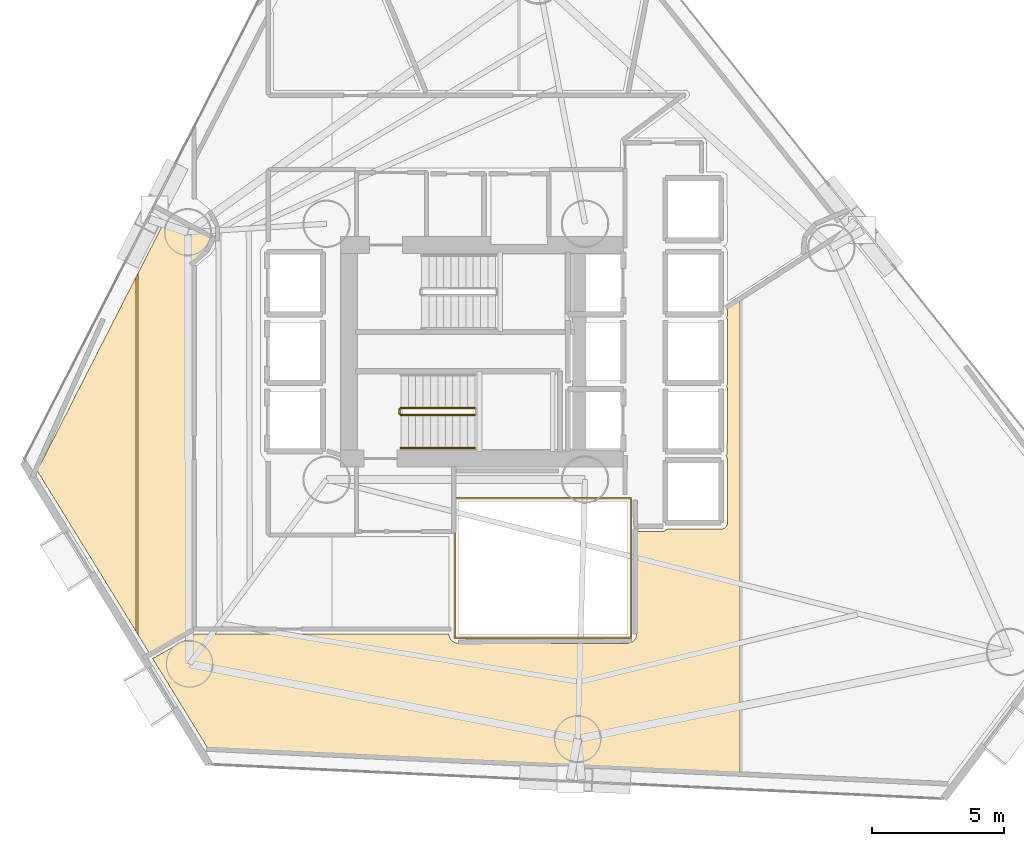
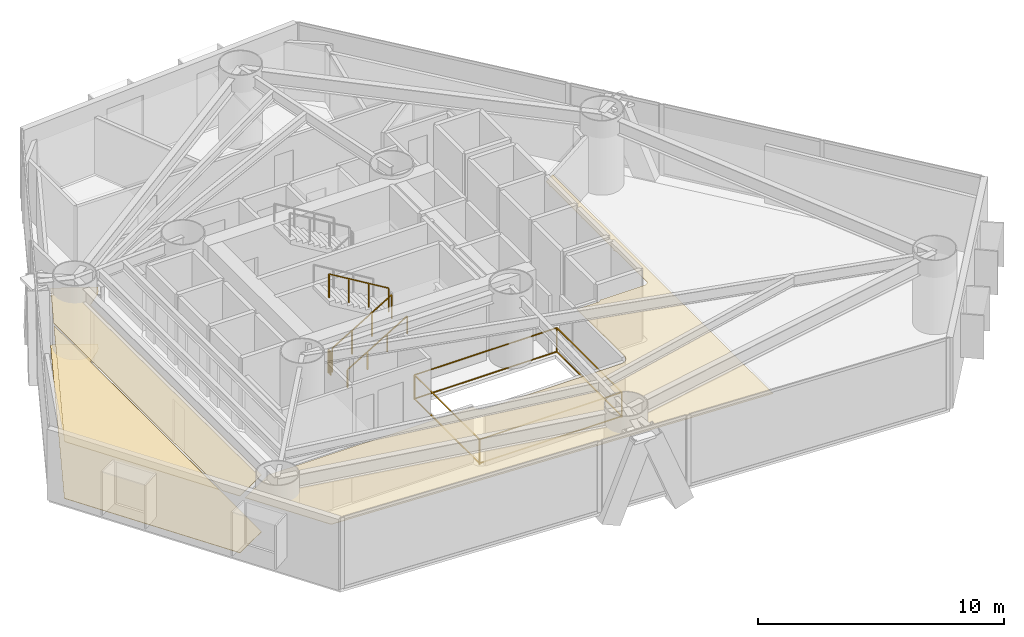
# One storey, part 20 of 23: 5 railings, 4 coverings.
"""IFC4 building model written with IfcOpenShell, lengths in metres."""

from ifc_helpers import new_model, si_unit, direction, frame, origin, origin_2d, place, context, subcontext, project, spatial, polyline, rectangle, outline, extrude, material, layer, layer_set, type_object, element, save


model = new_model("IFC4")

# Units and contexts
model_context = context("Model", 3, precision=1e-05, world=origin(), true_north=direction((0.0, 1.0)))
body_context = subcontext(model_context, "Body", "Model", "MODEL_VIEW")
ifc_project = project(units=[si_unit("LENGTHUNIT", "METRE"), si_unit("AREAUNIT", "SQUARE_METRE"), si_unit("VOLUMEUNIT", "CUBIC_METRE"), si_unit("PLANEANGLEUNIT", "RADIAN"), si_unit("MASSUNIT", "GRAM", prefix="KILO")], contexts=[model_context])

# Site, building, storey
site_placement = place(None, origin())
site = spatial("IfcSite", under=ifc_project, at=site_placement, CompositionType="ELEMENT")
building_placement = place(site_placement, origin())
building = spatial("IfcBuilding", under=site, at=building_placement, Name="Qianvela Tower", CompositionType="ELEMENT")
storey_placement = place(building_placement, frame((0.0, 0.0, 29.39990234375)))
storey = spatial("IfcBuildingStorey", under=building, at=storey_placement, Name="L06", CompositionType="ELEMENT", Elevation=29.39990234375)

# Coverings
ifc_material_1 = material(Name="Perforated Mineral Acoustic Ceiling Tile")
ifc_layer_1 = layer(ifc_material_1, 0.02490234375)
ifc_layer_set_1 = layer_set([ifc_layer_1], Name="Perforated Mineral Acoustic Ceiling Tile")
covering_type_1 = type_object("IfcCoveringType", Name="COV-CEIL-ACOUSTIC-25", PredefinedType="CEILING", material=ifc_layer_set_1)
covering_1_placement = place(storey_placement, frame((0.0, 0.0, 2.815185546875)))
element("IfcCovering", 1, at=covering_1_placement, inside=storey, type_object=covering_type_1, Name="L06 Acoustic Ceiling Bay 1 Shared Communal Kitchen L06-01", PredefinedType="CEILING", context=body_context, shape_type="SweptSolid", body=[
    extrude(outline(polyline([(17.628173828125, 24.18701171875), (21.37060546875, 31.51953125), (21.37060546875, 18.09716796875), (17.628173828125, 24.18701171875)])), origin(), (0.0, 0.0, 1.0), 0.02490234375),
])
covering_2_placement = place(storey_placement, frame((0.0, 0.0, 2.815185546875)))
element("IfcCovering", 2, at=covering_2_placement, inside=storey, type_object=covering_type_1, Name="L06 Acoustic Ceiling Bay 2 Shared Communal Kitchen L06-01", PredefinedType="CEILING", context=body_context, shape_type="SweptSolid", body=[
    extrude(outline(polyline([(24.2724609375, 32.97607421875), (24.269287109375, 32.945556640625), (24.135498046875, 32.695068359375), (24.016357421875, 32.5498046875), (23.448486328125, 32.083740234375), (23.442626953125, 32.07861328125), (23.4375, 32.07275390625), (23.4326171875, 32.06640625), (23.4287109375, 32.0595703125), (23.39990234375, 32.005615234375), (23.396484375, 31.99853515625), (23.393798828125, 31.9912109375), (23.391845703125, 31.9833984375), (23.390869140625, 31.975830078125), (23.390380859375, 31.968017578125), (23.389892578125, 18.14990234375), (23.390380859375, 18.142578125), (23.391357421875, 18.135498046875), (23.391845703125, 18.133056640625), (21.877197265625, 17.273193359375), (21.45068359375, 17.966796875), (21.45068359375, 31.67626953125), (22.5791015625, 33.886962890625), (24.2724609375, 32.97607421875)])), origin(), (0.0, 0.0, 1.0), 0.02490234375),
])
covering_3_placement = place(storey_placement, frame((0.0, 0.0, 2.815185546875)))
element("IfcCovering", 3, at=covering_3_placement, inside=storey, type_object=covering_type_1, Name="L06 Acoustic Ceiling Bay 1 Student Tea Pantry L06-02", PredefinedType="CEILING", context=body_context, shape_type="SweptSolid", body=[
    extrude(outline(polyline([(33.24609375, 17.989990234375), (33.252197265625, 17.912353515625), (33.25341796875, 17.904296875), (33.25537109375, 17.896240234375), (33.258056640625, 17.888427734375), (33.261474609375, 17.881103515625), (33.31298828125, 17.78466796875), (33.31689453125, 17.77783203125), (33.32177734375, 17.771484375), (33.326904296875, 17.765869140625), (33.332763671875, 17.760498046875), (33.417236328125, 17.691162109375), (33.42431640625, 17.68603515625), (33.431884765625, 17.681640625), (33.440185546875, 17.677978515625), (33.448486328125, 17.675537109375), (33.58056640625, 17.642333984375), (33.5869140625, 17.64111328125), (33.593505859375, 17.640380859375), (33.60009765625, 17.639892578125), (40.0, 17.639892578125), (40.0078125, 17.640380859375), (40.015625, 17.6416015625), (40.023193359375, 17.643310546875), (40.1787109375, 17.690673828125), (40.185546875, 17.693115234375), (40.192138671875, 17.696044921875), (40.198486328125, 17.69970703125), (40.204345703125, 17.70361328125), (40.209716796875, 17.70849609375), (40.21484375, 17.71337890625), (40.30615234375, 17.814208984375), (40.311279296875, 17.8203125), (40.315673828125, 17.826904296875), (40.3193359375, 17.833740234375), (40.322265625, 17.841064453125), (40.324462890625, 17.8486328125), (40.357666015625, 17.980712890625), (40.35888671875, 17.987060546875), (40.359619140625, 17.993408203125), (40.360107421875, 18.0), (40.360107421875, 21.889892578125), (41.367919921875, 21.890380859375), (41.375732421875, 21.890869140625), (41.383544921875, 21.891845703125), (41.39111328125, 21.893798828125), (41.3984375, 21.896484375), (41.405517578125, 21.89990234375), (41.45947265625, 21.9287109375), (41.46630859375, 21.932861328125), (41.472900390625, 21.9375), (41.478759765625, 21.943115234375), (41.48388671875, 21.948974609375), (41.48876953125, 21.955322265625), (41.492919921875, 21.96240234375), (41.49609375, 21.969482421875), (41.498779296875, 21.97705078125), (41.49951171875, 21.97998046875), (43.59375, 21.980712890625), (43.6015625, 21.981201171875), (43.609375, 21.982177734375), (43.616943359375, 21.984130859375), (43.624267578125, 21.98681640625), (43.699462890625, 22.017822265625), (43.70654296875, 22.021240234375), (43.71337890625, 22.025390625), (43.719482421875, 22.02978515625), (43.725341796875, 22.03515625), (43.730712890625, 22.041015625), (43.7353515625, 22.04736328125), (43.780517578125, 22.114990234375), (43.784423828125, 22.12158203125), (43.787841796875, 22.128662109375), (43.79052734375, 22.135986328125), (43.79248046875, 22.1435546875), (43.793701171875, 22.1513671875), (43.7939453125, 22.1591796875), (43.800048828125, 24.599853515625), (43.7998046875, 24.606689453125), (43.798828125, 24.613525390625), (43.79736328125, 24.620361328125), (43.79541015625, 24.626953125), (43.763427734375, 24.7158203125), (43.760498046875, 24.722900390625), (43.7568359375, 24.72998046875), (43.75244140625, 24.736572265625), (43.74755859375, 24.742431640625), (43.741943359375, 24.748046875), (43.736083984375, 24.7529296875), (43.771240234375, 24.795654296875), (43.77587890625, 24.802001953125), (43.77978515625, 24.80859375), (43.783203125, 24.815673828125), (43.785888671875, 24.822998046875), (43.787841796875, 24.83056640625), (43.788818359375, 24.83837890625), (43.789306640625, 24.84619140625), (43.800048828125, 27.2998046875), (43.799560546875, 27.3076171875), (43.798583984375, 27.315673828125), (43.79638671875, 27.323486328125), (43.793701171875, 27.3310546875), (43.7646484375, 27.39990234375), (43.793701171875, 27.468994140625), (43.79638671875, 27.476318359375), (43.79833984375, 27.484130859375), (43.799560546875, 27.491943359375), (43.800048828125, 27.5), (43.800048828125, 29.89990234375), (43.799560546875, 29.907958984375), (43.79833984375, 29.915771484375), (43.79638671875, 29.923583984375), (43.793701171875, 29.93115234375), (43.765625, 29.997802734375), (43.79150390625, 30.051513671875), (43.794189453125, 30.05810546875), (43.79638671875, 30.06494140625), (43.798095703125, 30.072021484375), (43.799072265625, 30.0791015625), (43.79931640625, 30.086181640625), (43.7998046875, 30.344482421875), (44.276123046875, 30.651611328125), (44.276123046875, 12.734619140625), (24.083984375, 13.682373046875), (22.0048828125, 17.065185546875), (23.634521484375, 17.989990234375), (33.24609375, 17.989990234375)])), origin(), (0.0, 0.0, 1.0), 0.02490234375),
])
ifc_material_2 = material(Name="Engineered Acoustic Oak Timber Flooring", Category="wood")
ifc_layer_2 = layer(ifc_material_2, 0.02001953125)
ifc_layer_set_2 = layer_set([ifc_layer_2], Name="Engineered Acoustic Oak Timber Flooring")
covering_type_2 = type_object("IfcCoveringType", Name="COV-FLOOR-OAK-20", PredefinedType="FLOORING", material=ifc_layer_set_2)
covering_4_placement = place(storey_placement, origin())
element("IfcCovering", 4, at=covering_4_placement, inside=storey, type_object=covering_type_2, Name="L06 Finish Flooring Shared Communal Kitchen L06-01", PredefinedType="FLOORING", context=body_context, shape_type="SweptSolid", body=[
    extrude(outline(polyline([(22.5791015625, 33.886962890625), (24.2724609375, 32.97607421875), (24.269287109375, 32.945556640625), (24.135498046875, 32.695068359375), (24.016357421875, 32.5498046875), (23.448486328125, 32.083740234375), (23.442626953125, 32.07861328125), (23.4375, 32.07275390625), (23.4326171875, 32.06640625), (23.4287109375, 32.0595703125), (23.39990234375, 32.005615234375), (23.396484375, 31.99853515625), (23.393798828125, 31.9912109375), (23.391845703125, 31.9833984375), (23.390869140625, 31.975830078125), (23.390380859375, 31.968017578125), (23.389892578125, 18.14990234375), (23.390380859375, 18.142578125), (23.391357421875, 18.135498046875), (23.391845703125, 18.133056640625), (21.877197265625, 17.273193359375), (17.628173828125, 24.18701171875), (22.5791015625, 33.886962890625)])), origin(), (0.0, 0.0, 1.0), 0.02001953125),
])

# Railings
ifc_material_3 = material(Name="Laminated Safety Glass and Stainless Steel 316", Category="steel")
railing_type_1 = type_object("IfcRailingType", Name="RL-ATRIUM-GUARD-1250", PredefinedType="GUARDRAIL", material=ifc_material_3)
railing_1_placement = place(storey_placement, frame((33.4599609375, 17.860107421875, 0.0)))
element("IfcRailing", 5, at=railing_1_placement, inside=storey, type_object=railing_type_1, Name="L06 Atrium Edge Guardrail 1", PredefinedType="GUARDRAIL", context=body_context, shape_type="SweptSolid", body=[
    extrude(rectangle(XDim=0.050048828125, YDim=0.0400390625, at=origin_2d()), frame((0.0, 0.0, 1.22998046875), z_axis=(0.0, 1.0, 0.0), x_axis=(-1.0, 0.0, 0.0)), (0.0, 0.0, 1.0), 5.27978515625),
    extrude(rectangle(XDim=0.050048828125, YDim=0.0400390625, at=origin_2d()), frame((0.0, 0.0, 0.050048828125), z_axis=(0.0, 1.0, 0.0), x_axis=(-1.0, 0.0, 0.0)), (0.0, 0.0, 1.0), 5.27978515625),
    extrude(rectangle(XDim=0.050048828125, YDim=0.0400390625, at=origin_2d()), frame((0.0, 5.27978515625, 1.22998046875), z_axis=(1.0, 0.0, 0.0), x_axis=(0.0, 1.0, 0.0)), (0.0, 0.0, 1.0), 6.679931640625),
    extrude(rectangle(XDim=0.050048828125, YDim=0.0400390625, at=origin_2d()), frame((0.0, 5.27978515625, 0.050048828125), z_axis=(1.0, 0.0, 0.0), x_axis=(0.0, 1.0, 0.0)), (0.0, 0.0, 1.0), 6.679931640625),
    extrude(rectangle(XDim=0.050048828125, YDim=0.0400390625, at=origin_2d()), frame((6.679931640625, 5.27978515625, 1.22998046875), z_axis=(0.0, -1.0, 0.0), x_axis=(1.0, 0.0, 0.0)), (0.0, 0.0, 1.0), 5.27978515625),
    extrude(rectangle(XDim=0.050048828125, YDim=0.0400390625, at=origin_2d()), frame((6.679931640625, 5.27978515625, 0.050048828125), z_axis=(0.0, -1.0, 0.0), x_axis=(1.0, 0.0, 0.0)), (0.0, 0.0, 1.0), 5.27978515625),
    extrude(rectangle(XDim=0.050048828125, YDim=0.0400390625, at=origin_2d()), frame((6.679931640625, 0.0, 1.22998046875), z_axis=(-1.0, 0.0, 0.0), x_axis=(0.0, -1.0, 0.0)), (0.0, 0.0, 1.0), 6.679931640625),
    extrude(rectangle(XDim=0.050048828125, YDim=0.0400390625, at=origin_2d()), frame((6.679931640625, 0.0, 0.050048828125), z_axis=(-1.0, 0.0, 0.0), x_axis=(0.0, -1.0, 0.0)), (0.0, 0.0, 1.0), 6.679931640625),
    extrude(rectangle(XDim=0.050048828125, YDim=0.050048828125, at=origin_2d()), origin(), (0.0, 0.0, 1.0), 1.2099609375),
    extrude(rectangle(XDim=0.050048828125, YDim=0.050048828125, at=origin_2d()), frame((0.0, 5.27978515625, 0.0)), (0.0, 0.0, 1.0), 1.2099609375),
    extrude(rectangle(XDim=0.050048828125, YDim=0.050048828125, at=origin_2d()), frame((6.679931640625, 5.27978515625, 0.0)), (0.0, 0.0, 1.0), 1.2099609375),
    extrude(rectangle(XDim=0.050048828125, YDim=0.050048828125, at=origin_2d()), frame((6.679931640625, 0.0, 0.0)), (0.0, 0.0, 1.0), 1.2099609375),
])
ifc_material_4 = material(Name="Painted Tubular Steel Q355B", Category="steel")
railing_type_2 = type_object("IfcRailingType", Name="RL-STAIR-GUARD-1200", PredefinedType="GUARDRAIL", material=ifc_material_4)
railing_2_placement = place(storey_placement, frame((31.419921875, 26.300048828125, 0.168212890625)))
element("IfcRailing", 6, at=railing_2_placement, inside=storey, type_object=railing_type_2, Name="L06 ST-2 stair guard 1", PredefinedType="GUARDRAIL", context=body_context, shape_type="SweptSolid", body=[
    extrude(rectangle(XDim=0.050048828125, YDim=0.0400390625, at=origin_2d()), frame((0.0, 0.0, 1.179931640625), z_axis=(0.857242210791, 0.0, 0.514913383045), x_axis=(0.0, 1.0, 0.0)), (0.0, 0.0, 1.0), 3.266357421875),
    extrude(rectangle(XDim=0.050048828125, YDim=0.050048828125, at=origin_2d()), origin(), (0.0, 0.0, 1.0), 1.159912109375),
    extrude(rectangle(XDim=0.050048828125, YDim=0.050048828125, at=origin_2d()), frame((0.933349609375, 0.0, 0.560546875)), (0.0, 0.0, 1.0), 1.159912109375),
    extrude(rectangle(XDim=0.050048828125, YDim=0.050048828125, at=origin_2d()), frame((1.86669921875, 0.0, 1.121337890625)), (0.0, 0.0, 1.0), 1.159912109375),
    extrude(rectangle(XDim=0.050048828125, YDim=0.050048828125, at=origin_2d()), frame((2.800048828125, 0.0, 1.681884765625)), (0.0, 0.0, 1.0), 1.159912109375),
])
railing_3_placement = place(storey_placement, frame((34.219970703125, 26.56005859375, 2.018310546875)))
element("IfcRailing", 7, at=railing_3_placement, inside=storey, type_object=railing_type_2, Name="L06 ST-2 stair guard 3", PredefinedType="GUARDRAIL", context=body_context, shape_type="SweptSolid", body=[
    extrude(rectangle(XDim=0.050048828125, YDim=0.0400390625, at=origin_2d()), frame((0.0, 0.0, 1.179931640625), z_axis=(-0.857242210791, 0.0, 0.514913383045), x_axis=(0.0, -1.0, 0.0)), (0.0, 0.0, 1.0), 3.266357421875),
    extrude(rectangle(XDim=0.050048828125, YDim=0.050048828125, at=origin_2d()), origin(), (0.0, 0.0, 1.0), 1.159912109375),
    extrude(rectangle(XDim=0.050048828125, YDim=0.050048828125, at=origin_2d()), frame((-0.933349609375, 0.0, 0.560546875)), (0.0, 0.0, 1.0), 1.159912109375),
    extrude(rectangle(XDim=0.050048828125, YDim=0.050048828125, at=origin_2d()), frame((-1.86669921875, 0.0, 1.121337890625)), (0.0, 0.0, 1.0), 1.159912109375),
    extrude(rectangle(XDim=0.050048828125, YDim=0.050048828125, at=origin_2d()), frame((-2.800048828125, 0.0, 1.681884765625)), (0.0, 0.0, 1.0), 1.159912109375),
])
railing_4_placement = place(storey_placement, frame((31.3701171875, 26.35009765625, 0.0)))
element("IfcRailing", 8, at=railing_4_placement, inside=storey, type_object=railing_type_2, Name="L06 ST-2 stair guard 4", PredefinedType="GUARDRAIL", context=body_context, shape_type="SweptSolid", body=[
    extrude(rectangle(XDim=0.050048828125, YDim=0.0400390625, at=origin_2d()), frame((0.0, 0.0, 1.179931640625), z_axis=(0.0, 1.0, 0.0), x_axis=(-1.0, 0.0, 0.0)), (0.0, 0.0, 1.0), 0.159912109375),
    extrude(rectangle(XDim=0.050048828125, YDim=0.050048828125, at=origin_2d()), origin(), (0.0, 0.0, 1.0), 1.159912109375),
    extrude(rectangle(XDim=0.050048828125, YDim=0.050048828125, at=origin_2d()), frame((0.0, 0.159912109375, 0.0)), (0.0, 0.0, 1.0), 1.159912109375),
])
ifc_material_5 = material(Name="Brushed Stainless Steel 304", Category="steel")
railing_type_3 = type_object("IfcRailingType", Name="RL-STAIR-HANDRAIL-900", PredefinedType="HANDRAIL", material=ifc_material_5)
railing_5_placement = place(storey_placement, frame((31.419921875, 25.050048828125, 0.168212890625)))
element("IfcRailing", 9, at=railing_5_placement, inside=storey, type_object=railing_type_3, Name="L06 ST-2 stair handrail 1", PredefinedType="HANDRAIL", context=body_context, shape_type="SweptSolid", body=[
    extrude(rectangle(XDim=0.050048828125, YDim=0.0400390625, at=origin_2d()), frame((0.0, 0.0, 0.8798828125), z_axis=(0.857242210791, 0.0, 0.514913383045), x_axis=(0.0, 1.0, 0.0)), (0.0, 0.0, 1.0), 3.266357421875),
    extrude(rectangle(XDim=0.050048828125, YDim=0.050048828125, at=origin_2d()), origin(), (0.0, 0.0, 1.0), 0.85986328125),
    extrude(rectangle(XDim=0.050048828125, YDim=0.050048828125, at=origin_2d()), frame((0.933349609375, 0.0, 0.560546875)), (0.0, 0.0, 1.0), 0.85986328125),
    extrude(rectangle(XDim=0.050048828125, YDim=0.050048828125, at=origin_2d()), frame((1.86669921875, 0.0, 1.121337890625)), (0.0, 0.0, 1.0), 0.85986328125),
    extrude(rectangle(XDim=0.050048828125, YDim=0.050048828125, at=origin_2d()), frame((2.800048828125, 0.0, 1.681884765625)), (0.0, 0.0, 1.0), 0.85986328125),
])

save(model, "model.ifc")
